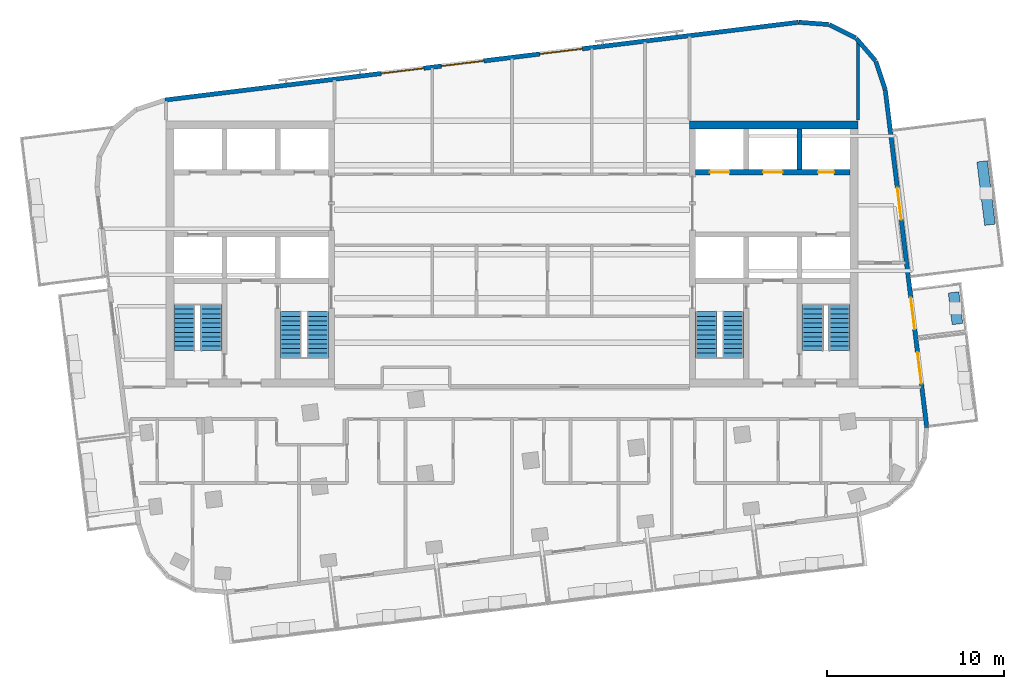
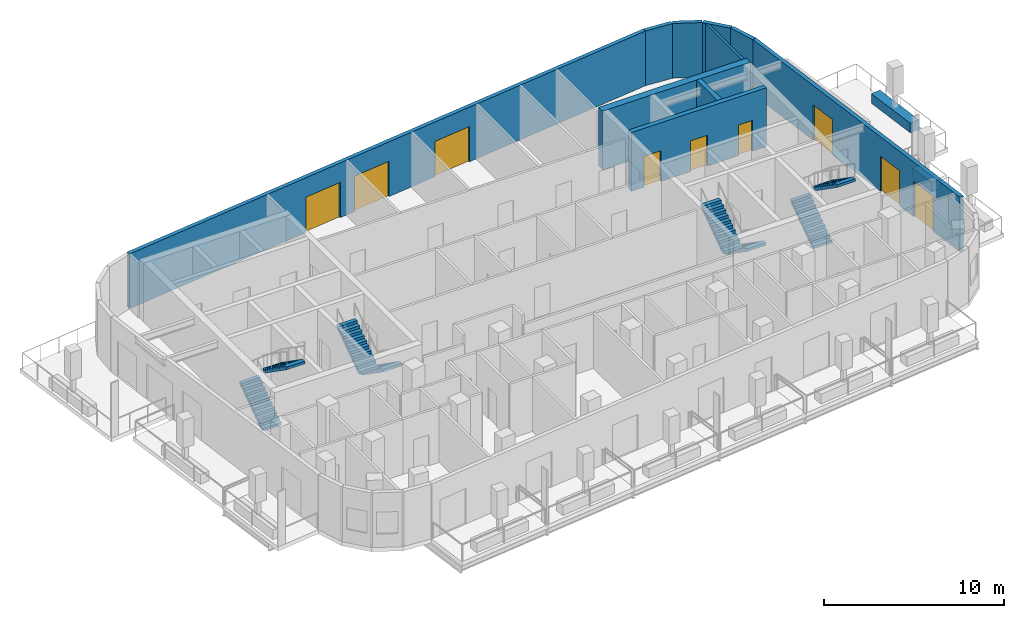
# One storey, part 7 of 11: 12 walls, 8 stair flights, 6 doors, 3 windows, 9 openings, 4 elements without a shape of their own.
"""IFC4 building model written with IfcOpenShell, lengths in metres."""

from ifc_helpers import new_model, si_unit, direction, frame, frame_2d, origin, place, context, subcontext, project, spatial, polyline, rectangle, outline, extrude, material, layer, layer_set, type_object, element, fill, aggregate, save


model = new_model("IFC4")

# Units and contexts
model_context = context("Model", 3, precision=1e-05, world=origin(), true_north=direction((0.0, 1.0)))
body_context = subcontext(model_context, "Body", "Model", "MODEL_VIEW")
ifc_project = project(units=[si_unit("LENGTHUNIT", "METRE"), si_unit("AREAUNIT", "SQUARE_METRE"), si_unit("VOLUMEUNIT", "CUBIC_METRE"), si_unit("PLANEANGLEUNIT", "RADIAN"), si_unit("MASSUNIT", "GRAM", prefix="KILO")], contexts=[model_context])

# Site, building, storey
site_placement = place(None, origin())
site = spatial("IfcSite", under=ifc_project, at=site_placement, CompositionType="ELEMENT")
building_placement = place(site_placement, origin())
building = spatial("IfcBuilding", under=site, at=building_placement, Name="Torana Hotel and Residences", CompositionType="ELEMENT")
storey_placement = place(building_placement, frame((0.0, 0.0, 326.60009765625)))
storey = spatial("IfcBuildingStorey", under=building, at=storey_placement, Name="L86", CompositionType="ELEMENT", Elevation=326.60009765625)

# Wall, openings, doors
ifc_material_1 = material(Name="Concrete C60/75", Category="concrete")
ifc_layer_1 = layer(ifc_material_1, 0.300048828125)
ifc_layer_set_1 = layer_set([ifc_layer_1], Name="CORE WALL 300 C60/75")
wall_type_1 = type_object("IfcWallType", Name="CORE WALL 300 C60/75", PredefinedType="SHEAR", material=ifc_layer_set_1)
wall_1_placement = place(storey_placement, frame((10.35009765625, -2.89990234375, 0.0), z_axis=(0.0, 0.0, 1.0), x_axis=(1.0, 0.0, 0.0)))
wall_1 = element("IfcWall", 1, at=wall_1_placement, inside=storey, type_object=wall_type_1, Name="Core wall E row-N", PredefinedType="SHEAR", context=body_context, shape_type="SweptSolid", body=[
    extrude(rectangle(XDim=8.699951171875, YDim=0.300048828125, at=frame_2d((4.35009765625, 0.0))), origin(), (0.0, 0.0, 1.0), 4.0),
])
opening_1_placement = place(wall_1_placement, frame((0.800048828125, 0.0, 0.0)))
opening_1 = element("IfcOpeningElement", 2, at=opening_1_placement, cuts=wall_1, Name="Opening LD", PredefinedType="OPENING", context=body_context, shape_type="SweptSolid", body=[
    extrude(rectangle(XDim=1.10009765625, YDim=2.10009765625, at=frame_2d((0.550048828125, 1.050048828125))), frame((0.0, 0.159912109375, 0.0), z_axis=(0.0, -1.0, 0.0), x_axis=(1.0, 0.0, 0.0)), (0.0, 0.0, 1.0), 0.320068359375),
])
opening_2_placement = place(wall_1_placement, frame((3.800048828125, 0.0, 0.0)))
opening_2 = element("IfcOpeningElement", 3, at=opening_2_placement, cuts=wall_1, Name="Opening LD", PredefinedType="OPENING", context=body_context, shape_type="SweptSolid", body=[
    extrude(rectangle(XDim=1.10009765625, YDim=2.10009765625, at=frame_2d((0.550048828125, 1.050048828125))), frame((0.0, 0.159912109375, 0.0), z_axis=(0.0, -1.0, 0.0), x_axis=(1.0, 0.0, 0.0)), (0.0, 0.0, 1.0), 0.320068359375),
])
opening_3_placement = place(wall_1_placement, frame((6.89990234375, 0.0, 0.0)))
opening_3 = element("IfcOpeningElement", 4, at=opening_3_placement, cuts=wall_1, Name="Opening L86-14", PredefinedType="OPENING", context=body_context, shape_type="SweptSolid", body=[
    extrude(rectangle(XDim=0.89990234375, YDim=2.10009765625, at=frame_2d((0.449951171875, 1.050048828125))), frame((0.0, 0.159912109375, 0.0), z_axis=(0.0, -1.0, 0.0), x_axis=(1.0, 0.0, 0.0)), (0.0, 0.0, 1.0), 0.320068359375),
])
ifc_material_2 = material(Name="Stainless steel 316", Category="steel")
door_type_1 = type_object("IfcDoorType", Name="LIFT LANDING DOOR LD 1100x2100", OperationType="DOUBLE_DOOR_SLIDING", PredefinedType="USERDEFINED", material=ifc_material_2)
door_1_placement = place(opening_1_placement, origin())
door_1 = element("IfcDoor", 5, at=door_1_placement, inside=storey, type_object=door_type_1, Name="Lift landing door H3 L86", ObjectType="LIFT LANDING DOOR", OperationType="DOUBLE_DOOR_SLIDING", OverallHeight=2.10009765625, OverallWidth=1.10009765625, PredefinedType="USERDEFINED", context=body_context, shape_type="SweptSolid", body=[
    extrude(rectangle(XDim=1.10009765625, YDim=2.10009765625, at=frame_2d((0.550048828125, 1.050048828125))), frame((0.0, 0.02490234375, 0.0), z_axis=(0.0, -1.0, 0.0), x_axis=(1.0, 0.0, 0.0)), (0.0, 0.0, 1.0), 0.050048828125),
])
fill(opening_1, door_1)
door_2_placement = place(opening_2_placement, origin())
door_2 = element("IfcDoor", 6, at=door_2_placement, inside=storey, type_object=door_type_1, Name="Lift landing door H4 L86", ObjectType="LIFT LANDING DOOR", OperationType="DOUBLE_DOOR_SLIDING", OverallHeight=2.10009765625, OverallWidth=1.10009765625, PredefinedType="USERDEFINED", context=body_context, shape_type="SweptSolid", body=[
    extrude(rectangle(XDim=1.10009765625, YDim=2.10009765625, at=frame_2d((0.550048828125, 1.050048828125))), frame((0.0, 0.02490234375, 0.0), z_axis=(0.0, -1.0, 0.0), x_axis=(1.0, 0.0, 0.0)), (0.0, 0.0, 1.0), 0.050048828125),
])
fill(opening_2, door_2)
ifc_material_3 = material(Name="Steel S235", Category="steel")
door_type_2 = type_object("IfcDoorType", Name="RISER ACCESS DOOR D5 900x2100", OperationType="SINGLE_SWING_LEFT", PredefinedType="DOOR", material=ifc_material_3)
door_3_placement = place(opening_3_placement, origin())
door_3 = element("IfcDoor", 7, at=door_3_placement, inside=storey, type_object=door_type_2, Name="N2 door L86", OperationType="SINGLE_SWING_RIGHT", OverallHeight=2.10009765625, OverallWidth=0.89990234375, PredefinedType="DOOR", context=body_context, shape_type="SweptSolid", body=[
    extrude(rectangle(XDim=0.89990234375, YDim=2.10009765625, at=frame_2d((0.449951171875, 1.050048828125))), frame((0.0, 0.02490234375, 0.0), z_axis=(0.0, -1.0, 0.0), x_axis=(1.0, 0.0, 0.0)), (0.0, 0.0, 1.0), 0.050048828125),
])
fill(opening_3, door_3)

# Walls
wall_2_placement = place(storey_placement, frame((16.199951171875, -2.75, 0.0), z_axis=(0.0, 0.0, 1.0), x_axis=(0.0, 1.0, 0.0)))
element("IfcWall", 8, at=wall_2_placement, inside=storey, type_object=wall_type_1, Name="Core wall E x6.05-N", PredefinedType="SHEAR", context=body_context, shape_type="SweptSolid", body=[
    extrude(rectangle(XDim=2.300048828125, YDim=0.300048828125, at=frame_2d((1.14990234375, 0.0))), origin(), (0.0, 0.0, 1.0), 4.0),
])
ifc_material_4 = material(Name="Concrete C60/75", Category="concrete")
ifc_layer_2 = layer(ifc_material_4, 0.449951171875)
ifc_layer_set_2 = layer_set([ifc_layer_2], Name="CORE WALL 450 C60/75")
wall_type_2 = type_object("IfcWallType", Name="CORE WALL 450 C60/75", PredefinedType="SHEAR", material=ifc_layer_set_2)
wall_3_placement = place(storey_placement, frame((10.0, -0.22509765625, 0.0), z_axis=(0.0, 0.0, 1.0), x_axis=(1.0, 0.0, 0.0)))
element("IfcWall", 9, at=wall_3_placement, inside=storey, type_object=wall_type_2, Name="Core wall E rear", PredefinedType="SHEAR", context=body_context, shape_type="SweptSolid", body=[
    extrude(rectangle(XDim=9.5, YDim=0.449951171875, at=frame_2d((4.75, 0.0))), origin(), (0.0, 0.0, 1.0), 4.0),
])
ifc_material_5 = material(Name="Black aluminium composite panel", Category="aluminium")
ifc_layer_3 = layer(ifc_material_5, 0.00390625, Name="Cladding", Category="cladding")
ifc_material_6 = material(Name="Ventilated air cavity")
ifc_layer_4 = layer(ifc_material_6, 0.0400390625, Name="Ventilated cavity", Category="cavity")
ifc_material_7 = material(Name="Mineral wool insulation")
ifc_layer_5 = layer(ifc_material_7, 0.090087890625, Name="Insulation", Category="insulation")
ifc_material_8 = material(Name="Steel S280GD", Category="steel")
ifc_layer_6 = layer(ifc_material_8, 0.092041015625, Name="Steel stud frame", Category="structure")
ifc_material_9 = material(Name="Fire rated plasterboard")
ifc_layer_7 = layer(ifc_material_9, 0.011962890625, Name="Inner board", Category="finish")
ifc_layer_8 = layer(ifc_material_9, 0.011962890625, Name="Second board", Category="finish")
ifc_layer_set_3 = layer_set([ifc_layer_3, ifc_layer_4, ifc_layer_5, ifc_layer_6, ifc_layer_7, ifc_layer_8], Name="EW1 EXTERNAL WALL BLACK METAL CLAD 250")
wall_type_3 = type_object("IfcWallType", Name="EW1 EXTERNAL WALL BLACK METAL CLAD 250", PredefinedType="SOLIDWALL", material=ifc_layer_set_3)
wall_4_placement = place(storey_placement, frame((21.035888671875, 1.754638671875, 0.0), z_axis=(0.0, 0.0, 1.0), x_axis=(-0.313046160822, 0.949737911844, 0.0)))
element("IfcWall", 10, at=wall_4_placement, inside=storey, type_object=wall_type_3, Name="External wall L86 e0.0", PredefinedType="SOLIDWALL", context=body_context, shape_type="SweptSolid", body=[
    extrude(rectangle(XDim=1.681396484375, YDim=0.25, at=frame_2d((0.8408203125, 0.0))), origin(), (0.0, 0.0, 1.0), 3.719970703125),
])
for number, where, z_axis, x_axis, name in (
    (11, (20.4853515625, 3.39404296875, 0.0), (0.0, 0.0, 1.0), (-0.652755886531, 0.757568315466, 0.0), "External wall L86 e0.1"),
    (12, (19.36572265625, 4.678955078125, 0.0), (0.0, 0.0, 1.0), (-0.893007580524, 0.450041621549, 0.0), "External wall L86 e0.2"),
):
    element("IfcWall", number, at=place(storey_placement, frame(where, z_axis=z_axis, x_axis=x_axis)), inside=storey, type_object=wall_type_3, Name=name, PredefinedType="SOLIDWALL", context=body_context, shape_type="SweptSolid", body=[
        extrude(rectangle(XDim=1.65625, YDim=0.25, at=frame_2d((0.828125, 0.0))), origin(), (0.0, 0.0, 1.0), 3.719970703125),
    ])
wall_5_placement = place(storey_placement, frame((17.839599609375, 5.4375, 0.0), z_axis=(0.0, 0.0, 1.0), x_axis=(-0.997254267475, 0.074053534713, 0.0)))
element("IfcWall", 13, at=wall_5_placement, inside=storey, type_object=wall_type_3, Name="External wall L86 e0.3", PredefinedType="SOLIDWALL", context=body_context, shape_type="SweptSolid", body=[
    extrude(rectangle(XDim=1.681396484375, YDim=0.25, at=frame_2d((0.8408203125, 0.0))), origin(), (0.0, 0.0, 1.0), 3.719970703125),
])

# Wall, openings, doors
wall_6_placement = place(storey_placement, frame((23.375, -17.277099609375, 0.0), z_axis=(0.0, 0.0, 1.0), x_axis=(-0.121862878281, 0.992546945437, 0.0)))
wall_6 = element("IfcWall", 14, at=wall_6_placement, inside=storey, type_object=wall_type_3, Name="External wall L86 e0.19", PredefinedType="SOLIDWALL", context=body_context, shape_type="SweptSolid", body=[
    extrude(rectangle(XDim=19.150634765625, YDim=0.25, at=frame_2d((9.5751953125, 0.0))), origin(), (0.0, 0.0, 1.0), 3.719970703125),
])
opening_4_placement = place(wall_6_placement, frame((2.479248046875, 0.0, 0.0)))
opening_4 = element("IfcOpeningElement", 15, at=opening_4_placement, cuts=wall_6, Name="Opening L86-E07", PredefinedType="OPENING", context=body_context, shape_type="SweptSolid", body=[
    extrude(rectangle(XDim=1.800048828125, YDim=2.39990234375, at=frame_2d((0.89990234375, 1.199951171875))), frame((0.0, 0.135009765625, 0.0), z_axis=(0.0, -1.0, 0.0), x_axis=(1.0, 0.0, 0.0)), (0.0, 0.0, 1.0), 0.27001953125),
])
opening_5_placement = place(wall_6_placement, frame((5.5751953125, 0.0, 0.0)))
opening_5 = element("IfcOpeningElement", 16, at=opening_5_placement, cuts=wall_6, Name="Opening L86-E08", PredefinedType="OPENING", context=body_context, shape_type="SweptSolid", body=[
    extrude(rectangle(XDim=1.800048828125, YDim=2.39990234375, at=frame_2d((0.89990234375, 1.199951171875))), frame((0.0, 0.135009765625, 0.0), z_axis=(0.0, -1.0, 0.0), x_axis=(1.0, 0.0, 0.0)), (0.0, 0.0, 1.0), 0.27001953125),
])
opening_6_placement = place(wall_6_placement, frame((11.806640625, 0.0, 0.0)))
opening_6 = element("IfcOpeningElement", 17, at=opening_6_placement, cuts=wall_6, Name="Opening L86-E09", PredefinedType="OPENING", context=body_context, shape_type="SweptSolid", body=[
    extrude(rectangle(XDim=1.800048828125, YDim=2.39990234375, at=frame_2d((0.89990234375, 1.199951171875))), frame((0.0, 0.135009765625, 0.0), z_axis=(0.0, -1.0, 0.0), x_axis=(1.0, 0.0, 0.0)), (0.0, 0.0, 1.0), 0.27001953125),
])
ifc_material_10 = material(Name="Dark glass in black aluminium frame", Category="aluminium")
door_type_3 = type_object("IfcDoorType", Name="DB1 BALCONY DOOR 1800x2400", OperationType="DOUBLE_DOOR_SINGLE_SWING", PredefinedType="DOOR", material=ifc_material_10)
door_4_placement = place(opening_4_placement, origin())
door_4 = element("IfcDoor", 18, at=door_4_placement, inside=storey, type_object=door_type_3, Name="Balcony door L86", OperationType="DOUBLE_DOOR_SINGLE_SWING", OverallHeight=2.39990234375, OverallWidth=1.800048828125, PredefinedType="DOOR", context=body_context, shape_type="SweptSolid", body=[
    extrude(rectangle(XDim=1.800048828125, YDim=2.39990234375, at=frame_2d((0.89990234375, 1.199951171875))), frame((0.0, 0.02490234375, 0.0), z_axis=(0.0, -1.0, 0.0), x_axis=(1.0, 0.0, 0.0)), (0.0, 0.0, 1.0), 0.050048828125),
])
fill(opening_4, door_4)
door_5_placement = place(opening_5_placement, origin())
door_5 = element("IfcDoor", 19, at=door_5_placement, inside=storey, type_object=door_type_3, Name="Balcony door L86", OperationType="DOUBLE_DOOR_SINGLE_SWING", OverallHeight=2.39990234375, OverallWidth=1.800048828125, PredefinedType="DOOR", context=body_context, shape_type="SweptSolid", body=[
    extrude(rectangle(XDim=1.800048828125, YDim=2.39990234375, at=frame_2d((0.89990234375, 1.199951171875))), frame((0.0, 0.02490234375, 0.0), z_axis=(0.0, -1.0, 0.0), x_axis=(1.0, 0.0, 0.0)), (0.0, 0.0, 1.0), 0.050048828125),
])
fill(opening_5, door_5)
door_6_placement = place(opening_6_placement, origin())
door_6 = element("IfcDoor", 20, at=door_6_placement, inside=storey, type_object=door_type_3, Name="Balcony door L86", OperationType="DOUBLE_DOOR_SINGLE_SWING", OverallHeight=2.39990234375, OverallWidth=1.800048828125, PredefinedType="DOOR", context=body_context, shape_type="SweptSolid", body=[
    extrude(rectangle(XDim=1.800048828125, YDim=2.39990234375, at=frame_2d((0.89990234375, 1.199951171875))), frame((0.0, 0.02490234375, 0.0), z_axis=(0.0, -1.0, 0.0), x_axis=(1.0, 0.0, 0.0)), (0.0, 0.0, 1.0), 0.050048828125),
])
fill(opening_6, door_6)

# Wall, openings, windows
ifc_material_11 = material(Name="Concrete C40/50 precast", Category="concrete")
ifc_layer_9 = layer(ifc_material_11, 0.10009765625, Name="Perforated block", Category="cladding")
ifc_material_12 = material(Name="Air cavity")
ifc_layer_10 = layer(ifc_material_12, 0.030029296875, Name="Cavity", Category="cavity")
ifc_material_13 = material(Name="Concrete C40/50", Category="concrete")
ifc_layer_11 = layer(ifc_material_13, 0.10009765625, Name="Wall", Category="structure")
ifc_material_14 = material(Name="Plaster and paint")
ifc_layer_12 = layer(ifc_material_14, 0.02001953125, Name="Inner finish", Category="finish")
ifc_layer_set_4 = layer_set([ifc_layer_9, ifc_layer_10, ifc_layer_11, ifc_layer_12], Name="EW2 PERFORATED BLOCK SCREEN WALL 250")
wall_type_4 = type_object("IfcWallType", Name="EW2 PERFORATED BLOCK SCREEN WALL 250", PredefinedType="SOLIDWALL", material=ifc_layer_set_4)
wall_7_placement = place(storey_placement, frame((16.13818359375, 5.561279296875, 0.0), z_axis=(0.0, 0.0, 1.0), x_axis=(-0.992546726876, -0.121864658405, 0.0)))
wall_7 = element("IfcWall", 21, at=wall_7_placement, inside=storey, type_object=wall_type_4, Name="External wall L86 e0.4", PredefinedType="SOLIDWALL", context=body_context, shape_type="SweptSolid", body=[
    extrude(rectangle(XDim=35.95068359375, YDim=0.25, at=frame_2d((17.975341796875, 0.0))), origin(), (0.0, 0.0, 1.0), 3.719970703125),
])
opening_7_placement = place(wall_7_placement, frame((12.275390625, 0.0, 0.0)))
opening_7 = element("IfcOpeningElement", 22, at=opening_7_placement, cuts=wall_7, Name="Opening W6", PredefinedType="OPENING", context=body_context, shape_type="SweptSolid", body=[
    extrude(rectangle(XDim=2.39990234375, YDim=2.39990234375, at=frame_2d((1.199951171875, 1.199951171875))), frame((0.0, 0.135009765625, 0.0), z_axis=(0.0, -1.0, 0.0), x_axis=(1.0, 0.0, 0.0)), (0.0, 0.0, 1.0), 0.27001953125),
])
opening_8_placement = place(wall_7_placement, frame((17.865234375, 0.0, 0.0)))
opening_8 = element("IfcOpeningElement", 23, at=opening_8_placement, cuts=wall_7, Name="Opening W6", PredefinedType="OPENING", context=body_context, shape_type="SweptSolid", body=[
    extrude(rectangle(XDim=2.39990234375, YDim=2.39990234375, at=frame_2d((1.199951171875, 1.199951171875))), frame((0.0, 0.135009765625, 0.0), z_axis=(0.0, -1.0, 0.0), x_axis=(1.0, 0.0, 0.0)), (0.0, 0.0, 1.0), 0.27001953125),
])
opening_9_placement = place(wall_7_placement, frame((21.275390625, 0.0, 0.0)))
opening_9 = element("IfcOpeningElement", 24, at=opening_9_placement, cuts=wall_7, Name="Opening W6", PredefinedType="OPENING", context=body_context, shape_type="SweptSolid", body=[
    extrude(rectangle(XDim=2.39990234375, YDim=2.39990234375, at=frame_2d((1.199951171875, 1.199951171875))), frame((0.0, 0.135009765625, 0.0), z_axis=(0.0, -1.0, 0.0), x_axis=(1.0, 0.0, 0.0)), (0.0, 0.0, 1.0), 0.27001953125),
])
ifc_material_15 = material(Name="Dark glass in black aluminium frame", Category="aluminium")
window_type = type_object("IfcWindowType", Name="W6 CLUB GLAZED BAY 2400x2400", PartitioningType="SINGLE_PANEL", PredefinedType="WINDOW", material=ifc_material_15)
window_1_placement = place(opening_7_placement, origin())
window_1 = element("IfcWindow", 25, at=window_1_placement, inside=storey, type_object=window_type, Name="Window L86", OverallHeight=2.39990234375, OverallWidth=2.39990234375, PartitioningType="SINGLE_PANEL", PredefinedType="WINDOW", context=body_context, shape_type="SweptSolid", body=[
    extrude(rectangle(XDim=2.39990234375, YDim=2.39990234375, at=frame_2d((1.199951171875, 1.199951171875))), frame((0.0, 0.030029296875, 0.0), z_axis=(0.0, -1.0, 0.0), x_axis=(1.0, 0.0, 0.0)), (0.0, 0.0, 1.0), 0.06005859375),
])
fill(opening_7, window_1)
window_2_placement = place(opening_8_placement, origin())
window_2 = element("IfcWindow", 26, at=window_2_placement, inside=storey, type_object=window_type, Name="Window L86", OverallHeight=2.39990234375, OverallWidth=2.39990234375, PartitioningType="SINGLE_PANEL", PredefinedType="WINDOW", context=body_context, shape_type="SweptSolid", body=[
    extrude(rectangle(XDim=2.39990234375, YDim=2.39990234375, at=frame_2d((1.199951171875, 1.199951171875))), frame((0.0, 0.030029296875, 0.0), z_axis=(0.0, -1.0, 0.0), x_axis=(1.0, 0.0, 0.0)), (0.0, 0.0, 1.0), 0.06005859375),
])
fill(opening_8, window_2)
window_3_placement = place(opening_9_placement, origin())
window_3 = element("IfcWindow", 27, at=window_3_placement, inside=storey, type_object=window_type, Name="Window L86", OverallHeight=2.39990234375, OverallWidth=2.39990234375, PartitioningType="SINGLE_PANEL", PredefinedType="WINDOW", context=body_context, shape_type="SweptSolid", body=[
    extrude(rectangle(XDim=2.39990234375, YDim=2.39990234375, at=frame_2d((1.199951171875, 1.199951171875))), frame((0.0, 0.030029296875, 0.0), z_axis=(0.0, -1.0, 0.0), x_axis=(1.0, 0.0, 0.0)), (0.0, 0.0, 1.0), 0.06005859375),
])
fill(opening_9, window_3)

# Walls
ifc_material_16 = material(Name="Gypsum plasterboard")
ifc_layer_13 = layer(ifc_material_16, 0.012451171875, Name="Plasterboard", Category="finish")
ifc_layer_14 = layer(ifc_material_16, 0.012451171875, Name="Plasterboard", Category="finish")
ifc_layer_15 = layer(ifc_material_8, 0.10009765625, Name="Steel studs with mineral wool", Category="insulation")
ifc_layer_16 = layer(ifc_material_16, 0.012451171875, Name="Plasterboard", Category="finish")
ifc_layer_17 = layer(ifc_material_16, 0.012451171875, Name="Plasterboard", Category="finish")
ifc_layer_set_5 = layer_set([ifc_layer_13, ifc_layer_14, ifc_layer_15, ifc_layer_16, ifc_layer_17], Name="PARTITION 150 PLASTERBOARD")
wall_type_5 = type_object("IfcWallType", Name="PARTITION 150 PLASTERBOARD", PredefinedType="PARTITIONING", material=ifc_layer_set_5)
wall_8_placement = place(storey_placement, frame((19.5, 0.050048828125, 0.0), z_axis=(0.0, 0.0, 1.0), x_axis=(0.0, 1.0, 0.0)))
element("IfcWall", 28, at=wall_8_placement, inside=storey, type_object=wall_type_5, Name="Partition L86", PredefinedType="PARTITIONING", context=body_context, shape_type="SweptSolid", body=[
    extrude(rectangle(XDim=4.4033203125, YDim=0.14990234375, at=frame_2d((2.20166015625, 0.0))), origin(), (0.0, 0.0, 1.0), 3.719970703125),
])
ifc_layer_18 = layer(ifc_material_11, 0.10009765625, Name="Planter shell", Category="structure")
ifc_material_17 = material(Name="Root resistant membrane")
ifc_layer_19 = layer(ifc_material_17, 0.00390625, Name="Waterproofing membrane", Category="membrane")
ifc_material_18 = material(Name="Drainage board with filter fleece")
ifc_layer_20 = layer(ifc_material_18, 0.02001953125, Name="Drainage board", Category="drainage")
ifc_material_19 = material(Name="Growing medium")
ifc_layer_21 = layer(ifc_material_19, 0.47607421875, Name="Planting substrate", Category="soil")
ifc_layer_set_6 = layer_set([ifc_layer_18, ifc_layer_19, ifc_layer_20, ifc_layer_21], Name="PL1 BALCONY PLANTER 600")
wall_type_6 = type_object("IfcWallType", Name="PL1 BALCONY PLANTER 600", PredefinedType="USERDEFINED", material=ifc_layer_set_6)
wall_9_placement = place(storey_placement, frame((24.88330078125, -9.66162109375, 0.0), z_axis=(0.0, 0.0, 1.0), x_axis=(0.121830336845, -0.992550940267, 0.0)))
element("IfcWall", 29, at=wall_9_placement, inside=storey, type_object=wall_type_6, Name="Planter 11", ObjectType="PLANTER", PredefinedType="USERDEFINED", context=body_context, shape_type="SweptSolid", body=[
    extrude(rectangle(XDim=1.799560546875, YDim=0.60009765625, at=frame_2d((0.89990234375, 0.0))), origin(), (0.0, 0.0, 1.0), 0.64990234375),
])
wall_10_placement = place(storey_placement, frame((26.49560546875, -2.2783203125, 0.0), z_axis=(0.0, 0.0, 1.0), x_axis=(0.121864343918, -0.992546765488, 0.0)))
element("IfcWall", 30, at=wall_10_placement, inside=storey, type_object=wall_type_6, Name="Planter 12", ObjectType="PLANTER", PredefinedType="USERDEFINED", context=body_context, shape_type="SweptSolid", body=[
    extrude(rectangle(XDim=3.60009765625, YDim=0.60009765625, at=frame_2d((1.800048828125, 0.0))), origin(), (0.0, 0.0, 1.0), 0.64990234375),
])

# Stair, stair flights
ifc_material_20 = material(Name="Concrete C40/50 precast", Category="concrete")
stair_type_1 = type_object("IfcStairType", Name="STAIR ST1 HALF TURN 1200", PredefinedType="HALF_TURN_STAIR", material=ifc_material_20)
stair_1_placement = place(storey_placement, origin())
stair_1 = element("IfcStair", 31, at=stair_1_placement, inside=storey, type_object=stair_type_1, Name="Stair ST1 L86", PredefinedType="HALF_TURN_STAIR")
ifc_material_21 = material(Name="Concrete C40/50 precast", Category="concrete")
stair_flight_type = type_object("IfcStairFlightType", Name="STAIR FLIGHT 1200 PRECAST", PredefinedType="STRAIGHT", material=ifc_material_21)
stair_flight_1_placement = place(storey_placement, frame((-10.949951171875, -10.75, 0.0), z_axis=(0.0, 0.0, 1.0), x_axis=(0.0, -1.0, 0.0)))
stair_flight_1 = element("IfcStairFlight", 32, at=stair_flight_1_placement, type_object=stair_flight_type, Name="ST1 flight 1", NumberOfRisers=11, NumberOfTreads=10, PredefinedType="STRAIGHT", RiserHeight=0.181818182, TreadLength=0.26, context=body_context, shape_type="SweptSolid", body=[
    extrude(outline(polyline([(0.0, 0.0), (0.0, 0.181884765625), (0.260009765625, 0.181884765625), (0.260009765625, 0.363525390625), (0.52001953125, 0.363525390625), (0.52001953125, 0.54541015625), (0.780029296875, 0.54541015625), (0.780029296875, 0.727294921875), (1.0400390625, 0.727294921875), (1.0400390625, 0.9091796875), (1.300048828125, 0.9091796875), (1.300048828125, 1.0908203125), (1.56005859375, 1.0908203125), (1.56005859375, 1.272705078125), (1.820068359375, 1.272705078125), (1.820068359375, 1.45458984375), (2.080078125, 1.45458984375), (2.080078125, 1.636474609375), (2.340087890625, 1.636474609375), (2.340087890625, 1.818115234375), (2.60009765625, 1.818115234375), (2.60009765625, 2.0), (2.60009765625, 1.63525390625), (0.261474609375, 0.0), (0.0, 0.0)])), frame((0.0, 0.60009765625, 0.0), z_axis=(0.0, -1.0, 0.0), x_axis=(1.0, 0.0, 0.0)), (0.0, 0.0, 1.0), 1.199951171875),
])
stair_flight_2_placement = place(storey_placement, frame((-12.449951171875, -13.35009765625, 2.0), z_axis=(0.0, 0.0, 1.0), x_axis=(0.0, 1.0, 0.0)))
stair_flight_2 = element("IfcStairFlight", 33, at=stair_flight_2_placement, type_object=stair_flight_type, Name="ST1 flight 2", NumberOfRisers=11, NumberOfTreads=10, PredefinedType="STRAIGHT", RiserHeight=0.181818182, TreadLength=0.26, context=body_context, shape_type="SweptSolid", body=[
    extrude(outline(polyline([(0.0, 0.0), (0.0, 0.181884765625), (0.260009765625, 0.181884765625), (0.260009765625, 0.363525390625), (0.52001953125, 0.363525390625), (0.52001953125, 0.54541015625), (0.780029296875, 0.54541015625), (0.780029296875, 0.727294921875), (1.0400390625, 0.727294921875), (1.0400390625, 0.9091796875), (1.300048828125, 0.9091796875), (1.300048828125, 1.0908203125), (1.56005859375, 1.0908203125), (1.56005859375, 1.272705078125), (1.820068359375, 1.272705078125), (1.820068359375, 1.45458984375), (2.080078125, 1.45458984375), (2.080078125, 1.636474609375), (2.340087890625, 1.636474609375), (2.340087890625, 1.818115234375), (2.60009765625, 1.818115234375), (2.60009765625, 2.0), (2.60009765625, 1.63525390625), (0.261474609375, 0.0), (0.0, 0.0)])), frame((0.0, 0.60009765625, 0.0), z_axis=(0.0, -1.0, 0.0), x_axis=(1.0, 0.0, 0.0)), (0.0, 0.0, 1.0), 1.199951171875),
])
aggregate(stair_1, [stair_flight_1, stair_flight_2])

ifc_material_22 = material(Name="Concrete C40/50 precast", Category="concrete")
stair_type_2 = type_object("IfcStairType", Name="STAIR ST2 HALF TURN 1200", PredefinedType="HALF_TURN_STAIR", material=ifc_material_22)
stair_2_placement = place(storey_placement, origin())
stair_2 = element("IfcStair", 34, at=stair_2_placement, inside=storey, type_object=stair_type_2, Name="Stair ST2 L86", PredefinedType="HALF_TURN_STAIR")
stair_flight_3_placement = place(storey_placement, frame((-18.449951171875, -12.949951171875, 0.0), z_axis=(0.0, 0.0, 1.0), x_axis=(0.0, 1.0, 0.0)))
stair_flight_3 = element("IfcStairFlight", 35, at=stair_flight_3_placement, type_object=stair_flight_type, Name="ST2 flight 1", NumberOfRisers=11, NumberOfTreads=10, PredefinedType="STRAIGHT", RiserHeight=0.181818182, TreadLength=0.26, context=body_context, shape_type="SweptSolid", body=[
    extrude(outline(polyline([(0.0, 0.0), (0.0, 0.181884765625), (0.260009765625, 0.181884765625), (0.260009765625, 0.363525390625), (0.52001953125, 0.363525390625), (0.52001953125, 0.54541015625), (0.780029296875, 0.54541015625), (0.780029296875, 0.727294921875), (1.0400390625, 0.727294921875), (1.0400390625, 0.9091796875), (1.300048828125, 0.9091796875), (1.300048828125, 1.0908203125), (1.56005859375, 1.0908203125), (1.56005859375, 1.272705078125), (1.820068359375, 1.272705078125), (1.820068359375, 1.45458984375), (2.080078125, 1.45458984375), (2.080078125, 1.636474609375), (2.340087890625, 1.636474609375), (2.340087890625, 1.818115234375), (2.60009765625, 1.818115234375), (2.60009765625, 2.0), (2.60009765625, 1.63525390625), (0.261474609375, 0.0), (0.0, 0.0)])), frame((0.0, 0.60009765625, 0.0), z_axis=(0.0, -1.0, 0.0), x_axis=(1.0, 0.0, 0.0)), (0.0, 0.0, 1.0), 1.199951171875),
])
stair_flight_4_placement = place(storey_placement, frame((-16.949951171875, -10.35009765625, 2.0), z_axis=(0.0, 0.0, 1.0), x_axis=(0.0, -1.0, 0.0)))
stair_flight_4 = element("IfcStairFlight", 36, at=stair_flight_4_placement, type_object=stair_flight_type, Name="ST2 flight 2", NumberOfRisers=11, NumberOfTreads=10, PredefinedType="STRAIGHT", RiserHeight=0.181818182, TreadLength=0.26, context=body_context, shape_type="SweptSolid", body=[
    extrude(outline(polyline([(0.0, 0.0), (0.0, 0.181884765625), (0.260009765625, 0.181884765625), (0.260009765625, 0.363525390625), (0.52001953125, 0.363525390625), (0.52001953125, 0.54541015625), (0.780029296875, 0.54541015625), (0.780029296875, 0.727294921875), (1.0400390625, 0.727294921875), (1.0400390625, 0.9091796875), (1.300048828125, 0.9091796875), (1.300048828125, 1.0908203125), (1.56005859375, 1.0908203125), (1.56005859375, 1.272705078125), (1.820068359375, 1.272705078125), (1.820068359375, 1.45458984375), (2.080078125, 1.45458984375), (2.080078125, 1.636474609375), (2.340087890625, 1.636474609375), (2.340087890625, 1.818115234375), (2.60009765625, 1.818115234375), (2.60009765625, 2.0), (2.60009765625, 1.63525390625), (0.261474609375, 0.0), (0.0, 0.0)])), frame((0.0, 0.60009765625, 0.0), z_axis=(0.0, -1.0, 0.0), x_axis=(1.0, 0.0, 0.0)), (0.0, 0.0, 1.0), 1.199951171875),
])
aggregate(stair_2, [stair_flight_3, stair_flight_4])

ifc_material_23 = material(Name="Concrete C40/50 precast", Category="concrete")
stair_type_3 = type_object("IfcStairType", Name="STAIR ST3 HALF TURN 1200", PredefinedType="HALF_TURN_STAIR", material=ifc_material_23)
stair_3_placement = place(storey_placement, origin())
stair_3 = element("IfcStair", 37, at=stair_3_placement, inside=storey, type_object=stair_type_3, Name="Stair ST3 L86", PredefinedType="HALF_TURN_STAIR")
stair_flight_5_placement = place(storey_placement, frame((12.449951171875, -10.75, 0.0), z_axis=(0.0, 0.0, 1.0), x_axis=(0.0, -1.0, 0.0)))
stair_flight_5 = element("IfcStairFlight", 38, at=stair_flight_5_placement, type_object=stair_flight_type, Name="ST3 flight 1", NumberOfRisers=11, NumberOfTreads=10, PredefinedType="STRAIGHT", RiserHeight=0.181818182, TreadLength=0.26, context=body_context, shape_type="SweptSolid", body=[
    extrude(outline(polyline([(0.0, 0.0), (0.0, 0.181884765625), (0.260009765625, 0.181884765625), (0.260009765625, 0.363525390625), (0.52001953125, 0.363525390625), (0.52001953125, 0.54541015625), (0.780029296875, 0.54541015625), (0.780029296875, 0.727294921875), (1.0400390625, 0.727294921875), (1.0400390625, 0.9091796875), (1.300048828125, 0.9091796875), (1.300048828125, 1.0908203125), (1.56005859375, 1.0908203125), (1.56005859375, 1.272705078125), (1.820068359375, 1.272705078125), (1.820068359375, 1.45458984375), (2.080078125, 1.45458984375), (2.080078125, 1.636474609375), (2.340087890625, 1.636474609375), (2.340087890625, 1.818115234375), (2.60009765625, 1.818115234375), (2.60009765625, 2.0), (2.60009765625, 1.63525390625), (0.261474609375, 0.0), (0.0, 0.0)])), frame((0.0, 0.60009765625, 0.0), z_axis=(0.0, -1.0, 0.0), x_axis=(1.0, 0.0, 0.0)), (0.0, 0.0, 1.0), 1.199951171875),
])
stair_flight_6_placement = place(storey_placement, frame((10.949951171875, -13.35009765625, 2.0), z_axis=(0.0, 0.0, 1.0), x_axis=(0.0, 1.0, 0.0)))
stair_flight_6 = element("IfcStairFlight", 39, at=stair_flight_6_placement, type_object=stair_flight_type, Name="ST3 flight 2", NumberOfRisers=11, NumberOfTreads=10, PredefinedType="STRAIGHT", RiserHeight=0.181818182, TreadLength=0.26, context=body_context, shape_type="SweptSolid", body=[
    extrude(outline(polyline([(0.0, 0.0), (0.0, 0.181884765625), (0.260009765625, 0.181884765625), (0.260009765625, 0.363525390625), (0.52001953125, 0.363525390625), (0.52001953125, 0.54541015625), (0.780029296875, 0.54541015625), (0.780029296875, 0.727294921875), (1.0400390625, 0.727294921875), (1.0400390625, 0.9091796875), (1.300048828125, 0.9091796875), (1.300048828125, 1.0908203125), (1.56005859375, 1.0908203125), (1.56005859375, 1.272705078125), (1.820068359375, 1.272705078125), (1.820068359375, 1.45458984375), (2.080078125, 1.45458984375), (2.080078125, 1.636474609375), (2.340087890625, 1.636474609375), (2.340087890625, 1.818115234375), (2.60009765625, 1.818115234375), (2.60009765625, 2.0), (2.60009765625, 1.63525390625), (0.261474609375, 0.0), (0.0, 0.0)])), frame((0.0, 0.60009765625, 0.0), z_axis=(0.0, -1.0, 0.0), x_axis=(1.0, 0.0, 0.0)), (0.0, 0.0, 1.0), 1.199951171875),
])
aggregate(stair_3, [stair_flight_5, stair_flight_6])

ifc_material_24 = material(Name="Concrete C40/50 precast", Category="concrete")
stair_type_4 = type_object("IfcStairType", Name="STAIR ST4 HALF TURN 1200", PredefinedType="HALF_TURN_STAIR", material=ifc_material_24)
stair_4_placement = place(storey_placement, origin())
stair_4 = element("IfcStair", 40, at=stair_4_placement, inside=storey, type_object=stair_type_4, Name="Stair ST4 L86", PredefinedType="HALF_TURN_STAIR")
stair_flight_7_placement = place(storey_placement, frame((16.949951171875, -12.949951171875, 0.0), z_axis=(0.0, 0.0, 1.0), x_axis=(0.0, 1.0, 0.0)))
stair_flight_7 = element("IfcStairFlight", 41, at=stair_flight_7_placement, type_object=stair_flight_type, Name="ST4 flight 1", NumberOfRisers=11, NumberOfTreads=10, PredefinedType="STRAIGHT", RiserHeight=0.181818182, TreadLength=0.26, context=body_context, shape_type="SweptSolid", body=[
    extrude(outline(polyline([(0.0, 0.0), (0.0, 0.181884765625), (0.260009765625, 0.181884765625), (0.260009765625, 0.363525390625), (0.52001953125, 0.363525390625), (0.52001953125, 0.54541015625), (0.780029296875, 0.54541015625), (0.780029296875, 0.727294921875), (1.0400390625, 0.727294921875), (1.0400390625, 0.9091796875), (1.300048828125, 0.9091796875), (1.300048828125, 1.0908203125), (1.56005859375, 1.0908203125), (1.56005859375, 1.272705078125), (1.820068359375, 1.272705078125), (1.820068359375, 1.45458984375), (2.080078125, 1.45458984375), (2.080078125, 1.636474609375), (2.340087890625, 1.636474609375), (2.340087890625, 1.818115234375), (2.60009765625, 1.818115234375), (2.60009765625, 2.0), (2.60009765625, 1.63525390625), (0.261474609375, 0.0), (0.0, 0.0)])), frame((0.0, 0.60009765625, 0.0), z_axis=(0.0, -1.0, 0.0), x_axis=(1.0, 0.0, 0.0)), (0.0, 0.0, 1.0), 1.199951171875),
])
stair_flight_8_placement = place(storey_placement, frame((18.449951171875, -10.35009765625, 2.0), z_axis=(0.0, 0.0, 1.0), x_axis=(0.0, -1.0, 0.0)))
stair_flight_8 = element("IfcStairFlight", 42, at=stair_flight_8_placement, type_object=stair_flight_type, Name="ST4 flight 2", NumberOfRisers=11, NumberOfTreads=10, PredefinedType="STRAIGHT", RiserHeight=0.181818182, TreadLength=0.26, context=body_context, shape_type="SweptSolid", body=[
    extrude(outline(polyline([(0.0, 0.0), (0.0, 0.181884765625), (0.260009765625, 0.181884765625), (0.260009765625, 0.363525390625), (0.52001953125, 0.363525390625), (0.52001953125, 0.54541015625), (0.780029296875, 0.54541015625), (0.780029296875, 0.727294921875), (1.0400390625, 0.727294921875), (1.0400390625, 0.9091796875), (1.300048828125, 0.9091796875), (1.300048828125, 1.0908203125), (1.56005859375, 1.0908203125), (1.56005859375, 1.272705078125), (1.820068359375, 1.272705078125), (1.820068359375, 1.45458984375), (2.080078125, 1.45458984375), (2.080078125, 1.636474609375), (2.340087890625, 1.636474609375), (2.340087890625, 1.818115234375), (2.60009765625, 1.818115234375), (2.60009765625, 2.0), (2.60009765625, 1.63525390625), (0.261474609375, 0.0), (0.0, 0.0)])), frame((0.0, 0.60009765625, 0.0), z_axis=(0.0, -1.0, 0.0), x_axis=(1.0, 0.0, 0.0)), (0.0, 0.0, 1.0), 1.199951171875),
])
aggregate(stair_4, [stair_flight_7, stair_flight_8])

save(model, "model.ifc")
